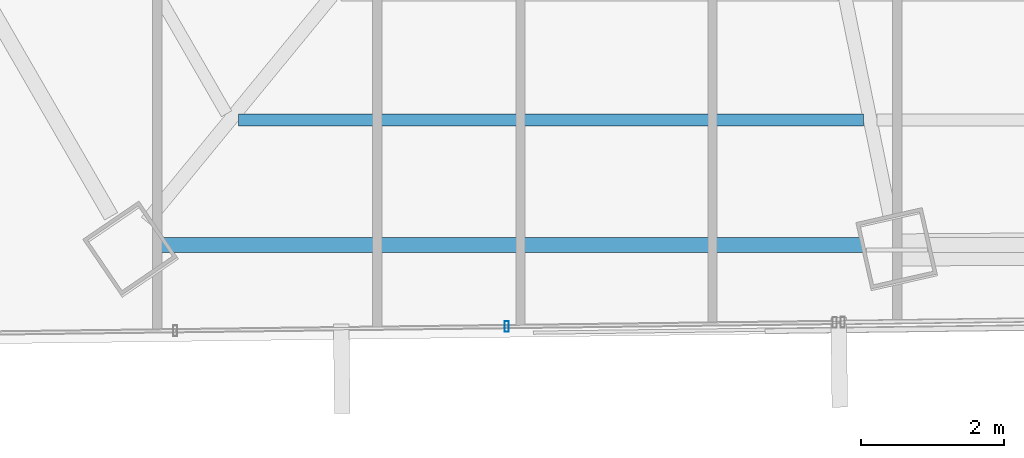
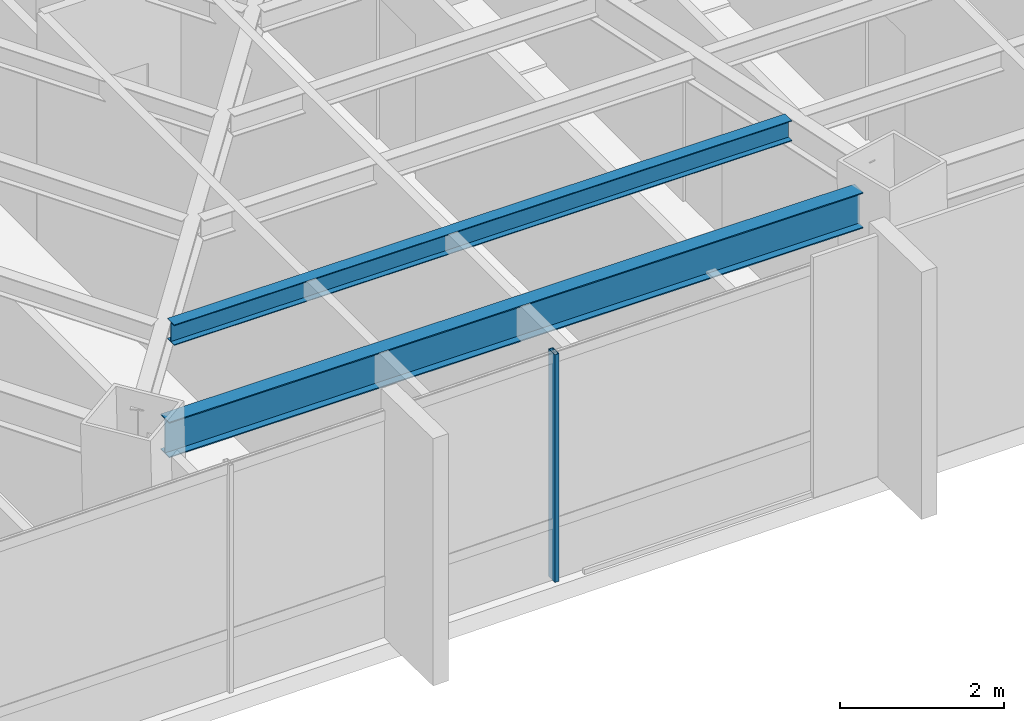
# One storey, part 4 of 42: 2 beams, 1 member, 1 element without a shape of its own.
"""IFC4 building model written with IfcOpenShell, lengths in metres."""

from ifc_helpers import new_model, si_unit, direction, frame, origin, origin_2d, place, context, subcontext, project, spatial, hollow_rectangle, i_section, extrude, source, transform, mapped, material, material_profile, profile_set, type_object, type_shapes, element, aggregate, save


model = new_model("IFC4")

# Units and contexts
model_context = context("Model", 3, precision=1e-05, world=origin(), true_north=direction((0.0, 1.0)))
body_context = subcontext(model_context, "Body", "Model", "MODEL_VIEW")
ifc_project = project(units=[si_unit("LENGTHUNIT", "METRE"), si_unit("AREAUNIT", "SQUARE_METRE"), si_unit("VOLUMEUNIT", "CUBIC_METRE"), si_unit("PLANEANGLEUNIT", "RADIAN"), si_unit("MASSUNIT", "GRAM", prefix="KILO")], contexts=[model_context])

# Site, building, storey
site_placement = place(None, origin())
site = spatial("IfcSite", under=ifc_project, at=site_placement, CompositionType="ELEMENT")
building_placement = place(site_placement, origin())
building = spatial("IfcBuilding", under=site, at=building_placement, Name="Caelisora Broadcast Tower", CompositionType="ELEMENT")
storey_placement = place(building_placement, frame((0.0, 0.0, 131.800048828125)))
storey = spatial("IfcBuildingStorey", under=building, at=storey_placement, Name="L34", CompositionType="ELEMENT", Elevation=131.800048828125)

# Beams
ifc_material_1 = material(Name="Steel Grade 350 (AS/NZS 3679.1)", Category="steel")
ifc_material_profile_1 = material_profile(ifc_material_1, i_section(OverallWidth=0.208984375, OverallDepth=0.532958984375, WebThickness=0.01025390625, FlangeThickness=0.015625, at=origin_2d()), Name="Steel Grade 350 (AS/NZS 3679.1)")
ifc_profile_set_1 = profile_set([ifc_material_profile_1], Name="Steel Grade 350 (AS/NZS 3679.1)")
beam_type_1 = type_object("IfcBeamType", Name="PG05", PredefinedType="BEAM", material=ifc_profile_set_1)
shared_shape_1 = source(origin(), body_context, "Body", "SweptSolid", [
    extrude(i_section(OverallWidth=0.208984375, OverallDepth=0.532958984375, WebThickness=0.01025390625, FlangeThickness=0.015625, at=origin_2d()), origin(), (0.0, 0.0, 1.0), 9.803466796875),
])
type_shapes(beam_type_1, [shared_shape_1])
beam_1_placement = place(storey_placement, frame((22.375, 6.936279296875, 3.133544921875), z_axis=(1.0, 0.0, 0.0), x_axis=(0.0, 1.0, 0.0)))
element("IfcBeam", 1, at=beam_1_placement, inside=storey, type_object=beam_type_1, Name="L34 beam PG05", PredefinedType="BEAM", context=body_context, shape_type="MappedRepresentation", body=[
    mapped(shared_shape_1, transform((0.0, 0.0, 0.0), scale=1.0)),
])
ifc_material_profile_2 = material_profile(ifc_material_1, i_section(OverallWidth=0.166015625, OverallDepth=0.30712890625, WebThickness=0.006591796875, FlangeThickness=0.01171875, at=origin_2d()), Name="Steel Grade 350 (AS/NZS 3679.1)")
ifc_profile_set_2 = profile_set([ifc_material_profile_2], Name="Steel Grade 350 (AS/NZS 3679.1)")
beam_type_2 = type_object("IfcBeamType", Name="SB03", PredefinedType="JOIST", material=ifc_profile_set_2)
shared_shape_2 = source(origin(), body_context, "Body", "SweptSolid", [
    extrude(i_section(OverallWidth=0.166015625, OverallDepth=0.30712890625, WebThickness=0.006591796875, FlangeThickness=0.01171875, at=origin_2d()), origin(), (0.0, 0.0, 1.0), 8.72119140625),
])
type_shapes(beam_type_2, [shared_shape_2])
beam_2_placement = place(storey_placement, frame((23.46630859375, 8.68017578125, 3.246337890625), z_axis=(1.0, 0.0, 0.0), x_axis=(0.0, 1.0, 0.0)))
element("IfcBeam", 2, at=beam_2_placement, inside=storey, type_object=beam_type_2, Name="L34 beam SB03", PredefinedType="JOIST", context=body_context, shape_type="MappedRepresentation", body=[
    mapped(shared_shape_2, transform((0.0, 0.0, 0.0), scale=1.0)),
])

# Curtain wall, member
ifc_material_2 = material(Name="Unitised Aluminium and Low-E Glass Curtain Wall", Category="glass")
curtain_wall_type = type_object("IfcCurtainWallType", Name="CW-Z3", PredefinedType="NOTDEFINED", material=ifc_material_2)
curtain_wall_placement = place(storey_placement, origin())
curtain_wall = element("IfcCurtainWall", 3, at=curtain_wall_placement, inside=storey, type_object=curtain_wall_type, Name="L34 curtain wall CW-Z3", PredefinedType="NOTDEFINED")
ifc_material_3 = material(Name="Aluminium 6063-T6 Anodised Terracotta Bronze", Category="aluminium")
ifc_material_profile_3 = material_profile(ifc_material_3, hollow_rectangle(XDim=0.06005859375, YDim=0.14990234375, WallThickness=0.00341796875, at=origin_2d()), Name="Aluminium 6063-T6 Anodised Terracotta Bronze")
ifc_profile_set_3 = profile_set([ifc_material_profile_3], Name="Aluminium 6063-T6 Anodised Terracotta Bronze")
member_type = type_object("IfcMemberType", Name="CWM-03", PredefinedType="MULLION", material=ifc_profile_set_3)
shared_shape_3 = source(origin(), body_context, "Body", "SweptSolid", [
    extrude(hollow_rectangle(XDim=0.06005859375, YDim=0.14990234375, WallThickness=0.00341796875, at=origin_2d()), origin(), (0.0, 0.0, 1.0), 3.39990234375),
])
type_shapes(member_type, [shared_shape_3])
member_placement = place(storey_placement, frame((27.208984375, 5.795166015625, 0.0), z_axis=(0.0, 0.0, 1.0), x_axis=(1.0, 0.0, 0.0)))
member = element("IfcMember", 4, at=member_placement, type_object=member_type, Name="L34-CW-B07 mullion #1", PredefinedType="MULLION", context=body_context, shape_type="MappedRepresentation", body=[
    mapped(shared_shape_3, transform((0.0, 0.0, 0.0), scale=1.0)),
])
aggregate(curtain_wall, [member])

save(model, "model.ifc")
